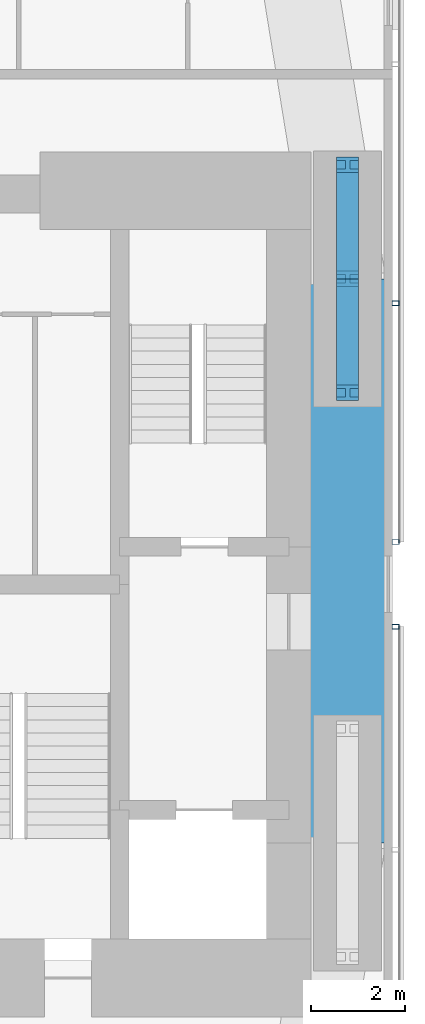
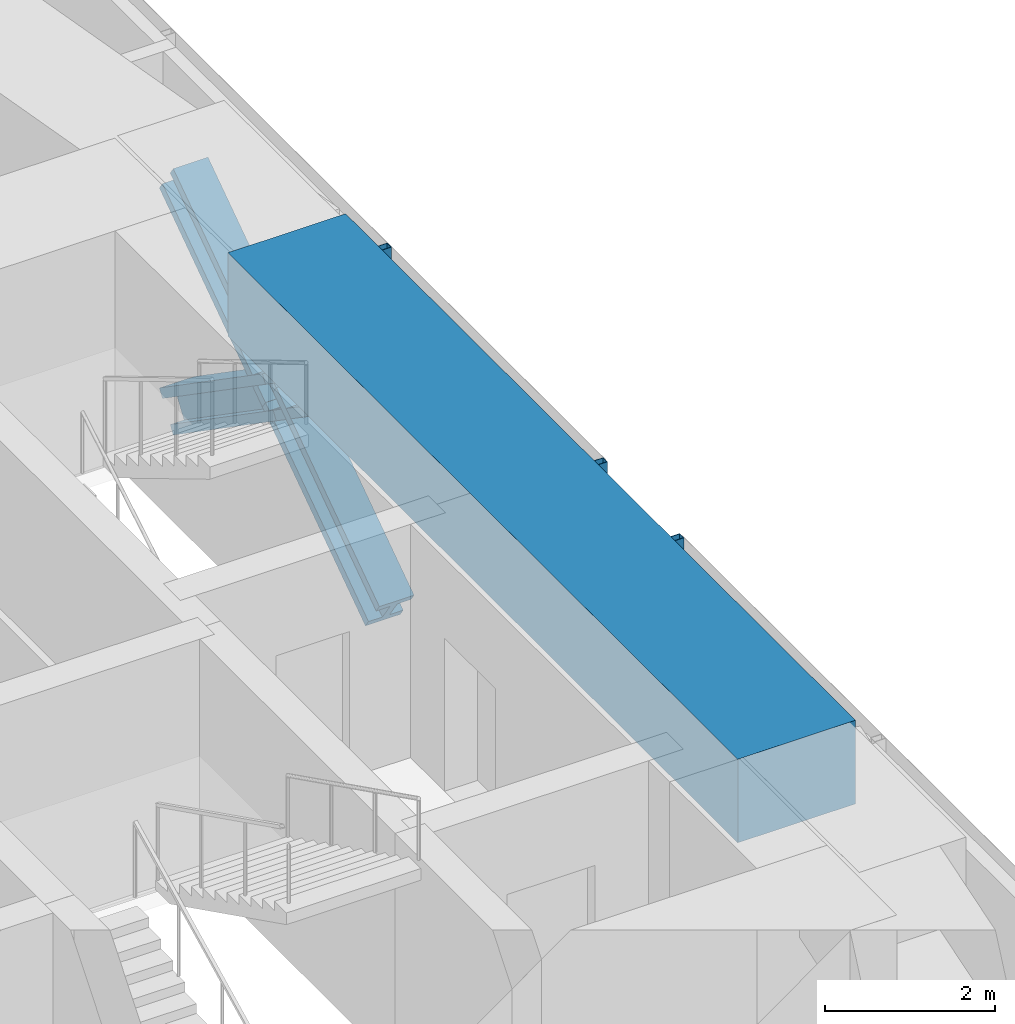
# One storey, part 9 of 23: 7 members, 1 beam, 2 elements without a shape of their own.
"""IFC4 building model written with IfcOpenShell, lengths in metres."""

from ifc_helpers import new_model, si_unit, direction, frame, origin, origin_2d, place, context, subcontext, project, spatial, rectangle, hollow_rectangle, i_section, extrude, material, material_profile, profile_set, type_object, element, aggregate, save


model = new_model("IFC4")

# Units and contexts
model_context = context("Model", 3, precision=1e-05, world=origin(), true_north=direction((0.0, 1.0)))
body_context = subcontext(model_context, "Body", "Model", "MODEL_VIEW")
ifc_project = project(units=[si_unit("LENGTHUNIT", "METRE"), si_unit("AREAUNIT", "SQUARE_METRE"), si_unit("VOLUMEUNIT", "CUBIC_METRE"), si_unit("PLANEANGLEUNIT", "RADIAN"), si_unit("MASSUNIT", "GRAM", prefix="KILO")], contexts=[model_context])

# Site, building, storey
site_placement = place(None, origin())
site = spatial("IfcSite", under=ifc_project, at=site_placement, CompositionType="ELEMENT")
building_placement = place(site_placement, origin())
building = spatial("IfcBuilding", under=site, at=building_placement, Name="Jalousie Tower", CompositionType="ELEMENT")
storey_placement = place(building_placement, frame((0.0, 0.0, 37.75)))
storey = spatial("IfcBuildingStorey", under=building, at=storey_placement, Name="L09", CompositionType="ELEMENT", Elevation=37.75)

# Members
ifc_material_1 = material(Name="Steel ASTM A992 Grade 50", Category="steel")
ifc_material_profile_1 = material_profile(ifc_material_1, i_section(OverallWidth=0.472412109375, OverallDepth=0.5791015625, WebThickness=0.094970703125, FlangeThickness=0.1298828125, at=origin_2d()), Name="W14X808")
ifc_profile_set_1 = profile_set([ifc_material_profile_1], Name="Steel ASTM A992 Grade 50")
member_type_1 = type_object("IfcMemberType", Name="PERIMETER BRACE W14X808", PredefinedType="BRACE", material=ifc_profile_set_1)
for number, where, z_axis, x_axis, name in (
    (1, (45.050048828125, 22.574951171875, -0.60009765625), (0.0, 0.822800062329, 0.568330940062), (-1.0, 0.0, 0.0), "Perimeter brace 07 L09 part 1"),
    (2, (45.050048828125, 25.0, 1.074951171875), (0.0, 0.822800062329, 0.568330940062), (-1.0, 0.0, 0.0), "Perimeter brace 07 L09 part 2"),
    (3, (45.050048828125, 27.425048828125, -0.60009765625), (0.0, -0.822800062329, 0.568330940062), (1.0, 0.0, 0.0), "Perimeter brace 07 L09 part 3"),
    (4, (45.050048828125, 25.0, 1.074951171875), (0.0, -0.822800062329, 0.568330940062), (1.0, 0.0, 0.0), "Perimeter brace 07 L09 part 4"),
):
    element("IfcMember", number, at=place(storey_placement, frame(where, z_axis=z_axis, x_axis=x_axis)), inside=storey, type_object=member_type_1, Name=name, PredefinedType="BRACE", context=body_context, shape_type="SweptSolid", body=[
        extrude(i_section(OverallWidth=0.472412109375, OverallDepth=0.5791015625, WebThickness=0.094970703125, FlangeThickness=0.1298828125, at=origin_2d()), origin(), (0.0, 0.0, 1.0), 2.947265625),
    ])

# Beam
ifc_material_2 = material(Name="Concrete f'c 40 MPa", Category="concrete")
ifc_material_profile_2 = material_profile(ifc_material_2, rectangle(XDim=1.60009765625, YDim=1.199951171875, at=origin_2d()), Name="RC 1600x1200")
ifc_profile_set_2 = profile_set([ifc_material_profile_2], Name="Concrete f'c 40 MPa")
beam_type = type_object("IfcBeamType", Name="RC BEAM 1600x1200", PredefinedType="BEAM", material=ifc_profile_set_2)
beam_placement = place(storey_placement, frame((45.050048828125, 13.0, 2.75), z_axis=(0.0, 1.0, 0.0), x_axis=(-1.0, 0.0, 0.0)))
element("IfcBeam", 5, at=beam_placement, inside=storey, type_object=beam_type, Name="Edge band beam 06-07 under L10", PredefinedType="BEAM", context=body_context, shape_type="SweptSolid", body=[
    extrude(rectangle(XDim=1.60009765625, YDim=1.199951171875, at=origin_2d()), origin(), (0.0, 0.0, 1.0), 12.0),
])

# Curtain wall, member
ifc_material_3 = material(Name="Perforated aluminium sheet", Category="aluminium")
curtain_wall_type = type_object("IfcCurtainWallType", Name="SOLAR SCREEN SS-1", PredefinedType="USERDEFINED", material=ifc_material_3)
curtain_wall_1_placement = place(storey_placement, origin())
curtain_wall_1 = element("IfcCurtainWall", 6, at=curtain_wall_1_placement, inside=storey, type_object=curtain_wall_type, Name="Solar screen L09", ObjectType="SOLAR SCREEN SS-1", PredefinedType="USERDEFINED")
ifc_material_4 = material(Name="Steel ASTM A500 Grade C", Category="steel")
ifc_material_profile_3 = material_profile(ifc_material_4, hollow_rectangle(XDim=0.1015625, YDim=0.15234375, WallThickness=0.00634765625, at=origin_2d()), Name="HSS6X4X1/4")
ifc_profile_set_3 = profile_set([ifc_material_profile_3], Name="Steel ASTM A500 Grade C")
member_type_2 = type_object("IfcMemberType", Name="SOLAR SCREEN SS-1 MULLION", PredefinedType="MULLION", material=ifc_profile_set_3)
member_1_placement = place(storey_placement, frame((46.0712890625, 17.60009765625, -0.1201171875), z_axis=(0.0, 0.0, 1.0), x_axis=(0.0, 1.0, 0.0)))
member_1 = element("IfcMember", 7, at=member_1_placement, type_object=member_type_2, Name="SS1 post 4", PredefinedType="MULLION", context=body_context, shape_type="SweptSolid", body=[
    extrude(hollow_rectangle(XDim=0.1015625, YDim=0.15234375, WallThickness=0.00634765625, at=origin_2d()), origin(), (0.0, 0.0, 1.0), 3.230224609375),
])
aggregate(curtain_wall_1, [member_1])

# Curtain wall, members
curtain_wall_2_placement = place(storey_placement, origin())
curtain_wall_2 = element("IfcCurtainWall", 8, at=curtain_wall_2_placement, inside=storey, type_object=curtain_wall_type, Name="Solar screen L09", ObjectType="SOLAR SCREEN SS-1", PredefinedType="USERDEFINED")
member_2_placement = place(storey_placement, frame((46.0712890625, 19.39990234375, -0.1201171875), z_axis=(0.0, 0.0, 1.0), x_axis=(0.0, 1.0, 0.0)))
member_2 = element("IfcMember", 9, at=member_2_placement, type_object=member_type_2, Name="SS1 post 1", PredefinedType="MULLION", context=body_context, shape_type="SweptSolid", body=[
    extrude(hollow_rectangle(XDim=0.1015625, YDim=0.15234375, WallThickness=0.00634765625, at=origin_2d()), origin(), (0.0, 0.0, 1.0), 3.230224609375),
])
member_3_placement = place(storey_placement, frame((46.0712890625, 24.48291015625, -0.1201171875), z_axis=(0.0, 0.0, 1.0), x_axis=(0.0, 1.0, 0.0)))
member_3 = element("IfcMember", 10, at=member_3_placement, type_object=member_type_2, Name="SS1 post 2", PredefinedType="MULLION", context=body_context, shape_type="SweptSolid", body=[
    extrude(hollow_rectangle(XDim=0.1015625, YDim=0.15234375, WallThickness=0.00634765625, at=origin_2d()), origin(), (0.0, 0.0, 1.0), 3.230224609375),
])
aggregate(curtain_wall_2, [member_2, member_3])

save(model, "model.ifc")
